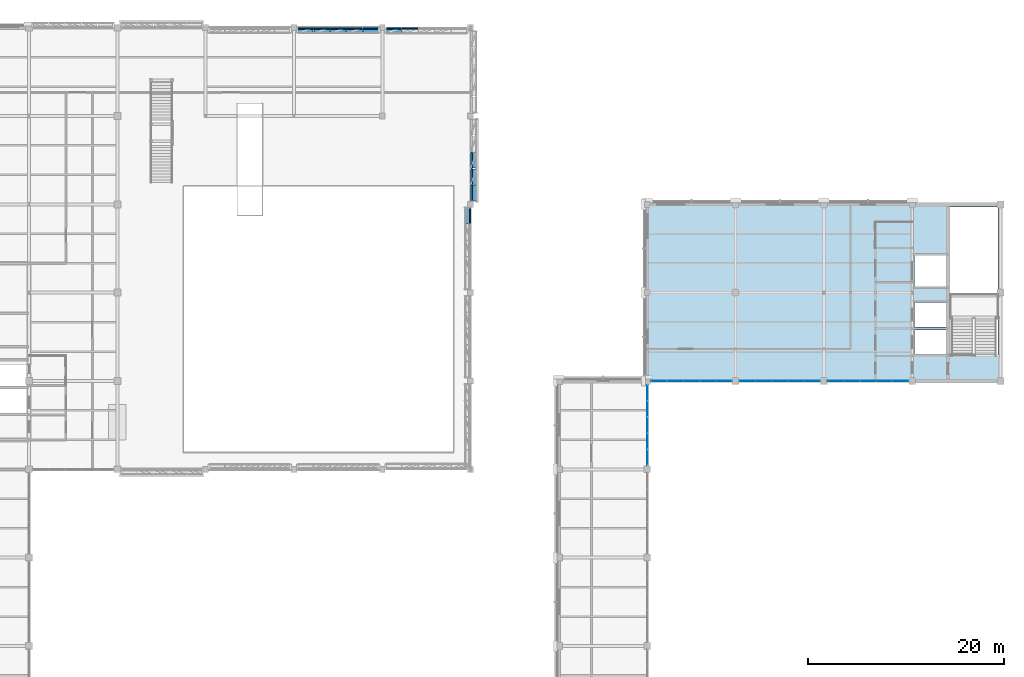
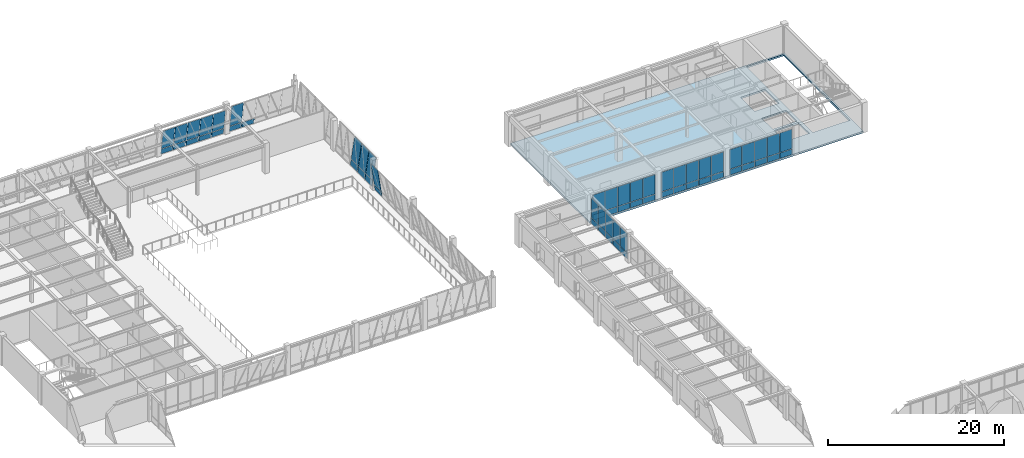
# One storey, part 85 of 108: 61 plates, 1 slab, 3 openings, 8 elements without a shape of their own.
"""IFC4 building model written with IfcOpenShell, lengths in metres."""

from ifc_helpers import new_model, si_unit, direction, frame, origin, origin_2d, place, context, subcontext, project, spatial, polyline, rectangle, outline, extrude, material, layer, layer_set, type_object, element, aggregate, save


model = new_model("IFC4")

# Units and contexts
model_context = context("Model", 3, precision=1e-05, world=origin(), true_north=direction((0.0, 1.0)))
body_context = subcontext(model_context, "Body", "Model", "MODEL_VIEW")
ifc_project = project(units=[si_unit("LENGTHUNIT", "METRE"), si_unit("AREAUNIT", "SQUARE_METRE"), si_unit("VOLUMEUNIT", "CUBIC_METRE"), si_unit("PLANEANGLEUNIT", "RADIAN"), si_unit("MASSUNIT", "GRAM", prefix="KILO")], contexts=[model_context])

# Site, building, storey
site_placement = place(None, origin())
site = spatial("IfcSite", under=ifc_project, at=site_placement, CompositionType="ELEMENT")
building_placement = place(site_placement, origin())
building = spatial("IfcBuilding", under=site, at=building_placement, Name="Lykobir Media Centre", CompositionType="ELEMENT")
storey_placement = place(building_placement, frame((0.0, 0.0, 15.0)))
storey = spatial("IfcBuildingStorey", under=building, at=storey_placement, Name="L03", CompositionType="ELEMENT", Elevation=15.0)

# Curtain wall, plates
ifc_material_1 = material(Name="Anodized Aluminium AW-6060", Category="aluminium")
curtain_wall_type_1 = type_object("IfcCurtainWallType", Name="CW-COURT-B", PredefinedType="NOTDEFINED", material=ifc_material_1)
curtain_wall_1_placement = place(storey_placement, origin())
curtain_wall_1 = element("IfcCurtainWall", 1, at=curtain_wall_1_placement, inside=storey, type_object=curtain_wall_type_1, Name="Curtain wall CW2-L03-0145", PredefinedType="NOTDEFINED")
ifc_material_2 = material(Name="Low-E Laminated Triple Glazing", Category="glass")
ifc_layer_1 = layer(ifc_material_2, 0.0380859375, Name="Low-E Laminated Triple Glazing")
ifc_layer_set_1 = layer_set([ifc_layer_1], Name="Low-E Laminated Triple Glazing")
plate_type_1 = type_object("IfcPlateType", Name="CWP-GLZ-38", PredefinedType="CURTAIN_PANEL", material=ifc_layer_set_1)
plate_1_placement = place(storey_placement, frame((99.0, 70.80224609375, 0.87744140625), z_axis=(0.0, 0.0, 1.0), x_axis=(0.0, -1.0, 0.0)))
plate_1 = element("IfcPlate", 2, at=plate_1_placement, type_object=plate_type_1, Name="CW2-L03-0145 panel 1.2", PredefinedType="CURTAIN_PANEL", context=body_context, shape_type="SweptSolid", body=[
    extrude(rectangle(XDim=1.575439453125, YDim=0.0380859375, at=origin_2d()), origin(), (0.0, 0.0, 1.0), 2.702392578125),
])
plate_2_placement = place(storey_placement, frame((99.0, 69.157958984375, 0.87744140625), z_axis=(0.0, 0.0, 1.0), x_axis=(0.0, -1.0, 0.0)))
plate_2 = element("IfcPlate", 3, at=plate_2_placement, type_object=plate_type_1, Name="CW2-L03-0145 panel 2.2", PredefinedType="CURTAIN_PANEL", context=body_context, shape_type="SweptSolid", body=[
    extrude(rectangle(XDim=1.60302734375, YDim=0.0380859375, at=origin_2d()), origin(), (0.0, 0.0, 1.0), 2.702392578125),
])
plate_3_placement = place(storey_placement, frame((99.0, 67.5, 0.87744140625), z_axis=(0.0, 0.0, 1.0), x_axis=(0.0, -1.0, 0.0)))
plate_3 = element("IfcPlate", 4, at=plate_3_placement, type_object=plate_type_1, Name="CW2-L03-0145 panel 3.2", PredefinedType="CURTAIN_PANEL", context=body_context, shape_type="SweptSolid", body=[
    extrude(rectangle(XDim=1.60302734375, YDim=0.0380859375, at=origin_2d()), origin(), (0.0, 0.0, 1.0), 2.702392578125),
])
plate_4_placement = place(storey_placement, frame((99.0, 65.842041015625, 0.87744140625), z_axis=(0.0, 0.0, 1.0), x_axis=(0.0, -1.0, 0.0)))
plate_4 = element("IfcPlate", 5, at=plate_4_placement, type_object=plate_type_1, Name="CW2-L03-0145 panel 4.2", PredefinedType="CURTAIN_PANEL", context=body_context, shape_type="SweptSolid", body=[
    extrude(rectangle(XDim=1.60302734375, YDim=0.0380859375, at=origin_2d()), origin(), (0.0, 0.0, 1.0), 2.702392578125),
])
plate_5_placement = place(storey_placement, frame((99.0, 64.19775390625, 0.87744140625), z_axis=(0.0, 0.0, 1.0), x_axis=(0.0, -1.0, 0.0)))
plate_5 = element("IfcPlate", 6, at=plate_5_placement, type_object=plate_type_1, Name="CW2-L03-0145 panel 5.2", PredefinedType="CURTAIN_PANEL", context=body_context, shape_type="SweptSolid", body=[
    extrude(rectangle(XDim=1.575439453125, YDim=0.0380859375, at=origin_2d()), origin(), (0.0, 0.0, 1.0), 2.702392578125),
])

curtain_wall_2_placement = place(storey_placement, origin())
curtain_wall_2 = element("IfcCurtainWall", 7, at=curtain_wall_2_placement, inside=storey, type_object=curtain_wall_type_1, Name="Curtain wall CW2-L03-0146", PredefinedType="NOTDEFINED")
plate_6_placement = place(storey_placement, frame((106.80224609375, 72.0, 0.87744140625), z_axis=(0.0, 0.0, 1.0), x_axis=(-1.0, 0.0, 0.0)))
plate_6 = element("IfcPlate", 8, at=plate_6_placement, type_object=plate_type_1, Name="CW2-L03-0146 panel 1.2", PredefinedType="CURTAIN_PANEL", context=body_context, shape_type="SweptSolid", body=[
    extrude(rectangle(XDim=1.575439453125, YDim=0.0380859375, at=origin_2d()), origin(), (0.0, 0.0, 1.0), 2.702392578125),
])
plate_7_placement = place(storey_placement, frame((105.157958984375, 72.0, 0.87744140625), z_axis=(0.0, 0.0, 1.0), x_axis=(-1.0, 0.0, 0.0)))
plate_7 = element("IfcPlate", 9, at=plate_7_placement, type_object=plate_type_1, Name="CW2-L03-0146 panel 2.2", PredefinedType="CURTAIN_PANEL", context=body_context, shape_type="SweptSolid", body=[
    extrude(rectangle(XDim=1.60302734375, YDim=0.0380859375, at=origin_2d()), origin(), (0.0, 0.0, 1.0), 2.702392578125),
])
plate_8_placement = place(storey_placement, frame((103.5, 72.0, 0.87744140625), z_axis=(0.0, 0.0, 1.0), x_axis=(-1.0, 0.0, 0.0)))
plate_8 = element("IfcPlate", 10, at=plate_8_placement, type_object=plate_type_1, Name="CW2-L03-0146 panel 3.2", PredefinedType="CURTAIN_PANEL", context=body_context, shape_type="SweptSolid", body=[
    extrude(rectangle(XDim=1.60302734375, YDim=0.0380859375, at=origin_2d()), origin(), (0.0, 0.0, 1.0), 2.702392578125),
])
plate_9_placement = place(storey_placement, frame((101.842041015625, 72.0, 0.87744140625), z_axis=(0.0, 0.0, 1.0), x_axis=(-1.0, 0.0, 0.0)))
plate_9 = element("IfcPlate", 11, at=plate_9_placement, type_object=plate_type_1, Name="CW2-L03-0146 panel 4.2", PredefinedType="CURTAIN_PANEL", context=body_context, shape_type="SweptSolid", body=[
    extrude(rectangle(XDim=1.60302734375, YDim=0.0380859375, at=origin_2d()), origin(), (0.0, 0.0, 1.0), 2.702392578125),
])
plate_10_placement = place(storey_placement, frame((100.19775390625, 72.0, 0.87744140625), z_axis=(0.0, 0.0, 1.0), x_axis=(-1.0, 0.0, 0.0)))
plate_10 = element("IfcPlate", 12, at=plate_10_placement, type_object=plate_type_1, Name="CW2-L03-0146 panel 5.2", PredefinedType="CURTAIN_PANEL", context=body_context, shape_type="SweptSolid", body=[
    extrude(rectangle(XDim=1.575439453125, YDim=0.0380859375, at=origin_2d()), origin(), (0.0, 0.0, 1.0), 2.702392578125),
])

curtain_wall_3_placement = place(storey_placement, origin())
curtain_wall_3 = element("IfcCurtainWall", 13, at=curtain_wall_3_placement, inside=storey, type_object=curtain_wall_type_1, Name="Curtain wall CW2-L03-0147", PredefinedType="NOTDEFINED")
plate_11_placement = place(storey_placement, frame((115.80224609375, 72.0, 0.87744140625), z_axis=(0.0, 0.0, 1.0), x_axis=(-1.0, 0.0, 0.0)))
plate_11 = element("IfcPlate", 14, at=plate_11_placement, type_object=plate_type_1, Name="CW2-L03-0147 panel 1.2", PredefinedType="CURTAIN_PANEL", context=body_context, shape_type="SweptSolid", body=[
    extrude(rectangle(XDim=1.575439453125, YDim=0.0380859375, at=origin_2d()), origin(), (0.0, 0.0, 1.0), 2.702392578125),
])
plate_12_placement = place(storey_placement, frame((114.157958984375, 72.0, 0.87744140625), z_axis=(0.0, 0.0, 1.0), x_axis=(-1.0, 0.0, 0.0)))
plate_12 = element("IfcPlate", 15, at=plate_12_placement, type_object=plate_type_1, Name="CW2-L03-0147 panel 2.2", PredefinedType="CURTAIN_PANEL", context=body_context, shape_type="SweptSolid", body=[
    extrude(rectangle(XDim=1.60302734375, YDim=0.0380859375, at=origin_2d()), origin(), (0.0, 0.0, 1.0), 2.702392578125),
])
plate_13_placement = place(storey_placement, frame((112.5, 72.0, 0.87744140625), z_axis=(0.0, 0.0, 1.0), x_axis=(-1.0, 0.0, 0.0)))
plate_13 = element("IfcPlate", 16, at=plate_13_placement, type_object=plate_type_1, Name="CW2-L03-0147 panel 3.2", PredefinedType="CURTAIN_PANEL", context=body_context, shape_type="SweptSolid", body=[
    extrude(rectangle(XDim=1.60302734375, YDim=0.0380859375, at=origin_2d()), origin(), (0.0, 0.0, 1.0), 2.702392578125),
])
plate_14_placement = place(storey_placement, frame((110.842041015625, 72.0, 0.87744140625), z_axis=(0.0, 0.0, 1.0), x_axis=(-1.0, 0.0, 0.0)))
plate_14 = element("IfcPlate", 17, at=plate_14_placement, type_object=plate_type_1, Name="CW2-L03-0147 panel 4.2", PredefinedType="CURTAIN_PANEL", context=body_context, shape_type="SweptSolid", body=[
    extrude(rectangle(XDim=1.60302734375, YDim=0.0380859375, at=origin_2d()), origin(), (0.0, 0.0, 1.0), 2.702392578125),
])
plate_15_placement = place(storey_placement, frame((109.19775390625, 72.0, 0.87744140625), z_axis=(0.0, 0.0, 1.0), x_axis=(-1.0, 0.0, 0.0)))
plate_15 = element("IfcPlate", 18, at=plate_15_placement, type_object=plate_type_1, Name="CW2-L03-0147 panel 5.2", PredefinedType="CURTAIN_PANEL", context=body_context, shape_type="SweptSolid", body=[
    extrude(rectangle(XDim=1.575439453125, YDim=0.0380859375, at=origin_2d()), origin(), (0.0, 0.0, 1.0), 2.702392578125),
])

curtain_wall_4_placement = place(storey_placement, origin())
curtain_wall_4 = element("IfcCurtainWall", 19, at=curtain_wall_4_placement, inside=storey, type_object=curtain_wall_type_1, Name="Curtain wall CW2-L03-0148", PredefinedType="NOTDEFINED")
plate_16_placement = place(storey_placement, frame((124.80224609375, 72.0, 0.87744140625), z_axis=(0.0, 0.0, 1.0), x_axis=(-1.0, 0.0, 0.0)))
plate_16 = element("IfcPlate", 20, at=plate_16_placement, type_object=plate_type_1, Name="CW2-L03-0148 panel 1.2", PredefinedType="CURTAIN_PANEL", context=body_context, shape_type="SweptSolid", body=[
    extrude(rectangle(XDim=1.575439453125, YDim=0.0380859375, at=origin_2d()), origin(), (0.0, 0.0, 1.0), 2.702392578125),
])
plate_17_placement = place(storey_placement, frame((123.157958984375, 72.0, 0.87744140625), z_axis=(0.0, 0.0, 1.0), x_axis=(-1.0, 0.0, 0.0)))
plate_17 = element("IfcPlate", 21, at=plate_17_placement, type_object=plate_type_1, Name="CW2-L03-0148 panel 2.2", PredefinedType="CURTAIN_PANEL", context=body_context, shape_type="SweptSolid", body=[
    extrude(rectangle(XDim=1.60302734375, YDim=0.0380859375, at=origin_2d()), origin(), (0.0, 0.0, 1.0), 2.702392578125),
])
plate_18_placement = place(storey_placement, frame((121.5, 72.0, 0.87744140625), z_axis=(0.0, 0.0, 1.0), x_axis=(-1.0, 0.0, 0.0)))
plate_18 = element("IfcPlate", 22, at=plate_18_placement, type_object=plate_type_1, Name="CW2-L03-0148 panel 3.2", PredefinedType="CURTAIN_PANEL", context=body_context, shape_type="SweptSolid", body=[
    extrude(rectangle(XDim=1.60302734375, YDim=0.0380859375, at=origin_2d()), origin(), (0.0, 0.0, 1.0), 2.702392578125),
])
plate_19_placement = place(storey_placement, frame((119.842041015625, 72.0, 0.87744140625), z_axis=(0.0, 0.0, 1.0), x_axis=(-1.0, 0.0, 0.0)))
plate_19 = element("IfcPlate", 23, at=plate_19_placement, type_object=plate_type_1, Name="CW2-L03-0148 panel 4.2", PredefinedType="CURTAIN_PANEL", context=body_context, shape_type="SweptSolid", body=[
    extrude(rectangle(XDim=1.60302734375, YDim=0.0380859375, at=origin_2d()), origin(), (0.0, 0.0, 1.0), 2.702392578125),
])
plate_20_placement = place(storey_placement, frame((118.19775390625, 72.0, 0.87744140625), z_axis=(0.0, 0.0, 1.0), x_axis=(-1.0, 0.0, 0.0)))
plate_20 = element("IfcPlate", 24, at=plate_20_placement, type_object=plate_type_1, Name="CW2-L03-0148 panel 5.2", PredefinedType="CURTAIN_PANEL", context=body_context, shape_type="SweptSolid", body=[
    extrude(rectangle(XDim=1.575439453125, YDim=0.0380859375, at=origin_2d()), origin(), (0.0, 0.0, 1.0), 2.702392578125),
])

# Curtain wall, plate
curtain_wall_type_2 = type_object("IfcCurtainWallType", Name="CW-V6-CR3", PredefinedType="NOTDEFINED", material=ifc_material_1)
curtain_wall_5_placement = place(storey_placement, origin())
curtain_wall_5 = element("IfcCurtainWall", 25, at=curtain_wall_5_placement, inside=storey, type_object=curtain_wall_type_2, Name="Curtain wall CW2-L03-0127", PredefinedType="NOTDEFINED")
ifc_layer_2 = layer(ifc_material_2, 0.0439453125, Name="Low-E Laminated Triple Glazing")
ifc_layer_set_2 = layer_set([ifc_layer_2], Name="Low-E Laminated Triple Glazing")
plate_type_2 = type_object("IfcPlateType", Name="CWP-GLZ-44", PredefinedType="CURTAIN_PANEL", material=ifc_layer_set_2)
plate_21_placement = place(storey_placement, frame((80.873291015625, 88.837158203125, 0.87841796875), z_axis=(-0.142628933706, 0.0, 0.989776230908), x_axis=(0.0, -1.0, 0.0)))
plate_21 = element("IfcPlate", 26, at=plate_21_placement, type_object=plate_type_2, Name="CW2-L03-0127 panel 1.2", PredefinedType="CURTAIN_PANEL", context=body_context, shape_type="SweptSolid", body=[
    extrude(rectangle(XDim=1.5654296875, YDim=0.0439453125, at=origin_2d()), origin(), (0.0, 0.0, 1.0), 3.018310546875),
])

# Curtain wall, plates
curtain_wall_6_placement = place(storey_placement, origin())
curtain_wall_6 = element("IfcCurtainWall", 27, at=curtain_wall_6_placement, inside=storey, type_object=curtain_wall_type_2, Name="Curtain wall CW2-L03-0128", PredefinedType="NOTDEFINED")
plate_22_placement = place(storey_placement, frame((81.126708984375, 91.162841796875, 0.87841796875), z_axis=(0.142628933706, 0.0, 0.989776230908), x_axis=(0.0, 1.0, 0.0)))
plate_22 = element("IfcPlate", 28, at=plate_22_placement, type_object=plate_type_2, Name="CW2-L03-0128 panel 1.2", PredefinedType="CURTAIN_PANEL", context=body_context, shape_type="SweptSolid", body=[
    extrude(rectangle(XDim=1.5654296875, YDim=0.0439453125, at=origin_2d()), origin(), (0.0, 0.0, 1.0), 3.018310546875),
])
plate_23_placement = place(storey_placement, frame((81.126708984375, 92.822021484375, 0.87841796875), z_axis=(0.142628933706, 0.0, 0.989776230908), x_axis=(0.0, 1.0, 0.0)))
plate_23 = element("IfcPlate", 29, at=plate_23_placement, type_object=plate_type_2, Name="CW2-L03-0128 panel 2.2", PredefinedType="CURTAIN_PANEL", context=body_context, shape_type="SweptSolid", body=[
    extrude(rectangle(XDim=1.60302734375, YDim=0.0439453125, at=origin_2d()), origin(), (0.0, 0.0, 1.0), 3.018310546875),
])
plate_24_placement = place(storey_placement, frame((81.126708984375, 94.5, 0.87841796875), z_axis=(0.142628933706, 0.0, 0.989776230908), x_axis=(0.0, 1.0, 0.0)))
plate_24 = element("IfcPlate", 30, at=plate_24_placement, type_object=plate_type_2, Name="CW2-L03-0128 panel 3.2", PredefinedType="CURTAIN_PANEL", context=body_context, shape_type="SweptSolid", body=[
    extrude(rectangle(XDim=1.60302734375, YDim=0.0439453125, at=origin_2d()), origin(), (0.0, 0.0, 1.0), 3.018310546875),
])

curtain_wall_7_placement = place(storey_placement, origin())
curtain_wall_7 = element("IfcCurtainWall", 31, at=curtain_wall_7_placement, inside=storey, type_object=curtain_wall_type_2, Name="Curtain wall CW2-L03-0133", PredefinedType="NOTDEFINED")
plate_25_placement = place(storey_placement, frame((64.162841796875, 107.873291015625, 0.87841796875), z_axis=(0.0, -0.142628933706, 0.989776230908), x_axis=(1.0, 0.0, 0.0)))
plate_25 = element("IfcPlate", 32, at=plate_25_placement, type_object=plate_type_2, Name="CW2-L03-0133 panel 1.2", PredefinedType="CURTAIN_PANEL", context=body_context, shape_type="SweptSolid", body=[
    extrude(rectangle(XDim=1.5654296875, YDim=0.0439453125, at=origin_2d()), origin(), (0.0, 0.0, 1.0), 2.7099609375),
])
plate_26_placement = place(storey_placement, frame((65.822021484375, 107.873291015625, 0.87841796875), z_axis=(0.0, -0.142628933706, 0.989776230908), x_axis=(1.0, 0.0, 0.0)))
plate_26 = element("IfcPlate", 33, at=plate_26_placement, type_object=plate_type_2, Name="CW2-L03-0133 panel 2.2", PredefinedType="CURTAIN_PANEL", context=body_context, shape_type="SweptSolid", body=[
    extrude(rectangle(XDim=1.60302734375, YDim=0.0439453125, at=origin_2d()), origin(), (0.0, 0.0, 1.0), 2.7099609375),
])
plate_27_placement = place(storey_placement, frame((67.5, 107.873291015625, 0.87841796875), z_axis=(0.0, -0.142628933706, 0.989776230908), x_axis=(1.0, 0.0, 0.0)))
plate_27 = element("IfcPlate", 34, at=plate_27_placement, type_object=plate_type_2, Name="CW2-L03-0133 panel 3.2", PredefinedType="CURTAIN_PANEL", context=body_context, shape_type="SweptSolid", body=[
    extrude(rectangle(XDim=1.60302734375, YDim=0.0439453125, at=origin_2d()), origin(), (0.0, 0.0, 1.0), 2.7099609375),
])
plate_28_placement = place(storey_placement, frame((69.177978515625, 107.873291015625, 0.87841796875), z_axis=(0.0, -0.142628933706, 0.989776230908), x_axis=(1.0, 0.0, 0.0)))
plate_28 = element("IfcPlate", 35, at=plate_28_placement, type_object=plate_type_2, Name="CW2-L03-0133 panel 4.2", PredefinedType="CURTAIN_PANEL", context=body_context, shape_type="SweptSolid", body=[
    extrude(rectangle(XDim=1.60302734375, YDim=0.0439453125, at=origin_2d()), origin(), (0.0, 0.0, 1.0), 2.7099609375),
])
plate_29_placement = place(storey_placement, frame((70.837158203125, 107.873291015625, 0.87841796875), z_axis=(0.0, -0.142628933706, 0.989776230908), x_axis=(1.0, 0.0, 0.0)))
plate_29 = element("IfcPlate", 36, at=plate_29_placement, type_object=plate_type_2, Name="CW2-L03-0133 panel 5.2", PredefinedType="CURTAIN_PANEL", context=body_context, shape_type="SweptSolid", body=[
    extrude(rectangle(XDim=1.5654296875, YDim=0.0439453125, at=origin_2d()), origin(), (0.0, 0.0, 1.0), 2.7099609375),
])

# Curtain wall, plate
curtain_wall_8_placement = place(storey_placement, origin())
curtain_wall_8 = element("IfcCurtainWall", 37, at=curtain_wall_8_placement, inside=storey, type_object=curtain_wall_type_2, Name="Curtain wall CW2-L03-0134", PredefinedType="NOTDEFINED")
plate_30_placement = place(storey_placement, frame((73.162841796875, 107.873291015625, 0.87841796875), z_axis=(0.0, -0.142628933706, 0.989776230908), x_axis=(1.0, 0.0, 0.0)))
plate_30 = element("IfcPlate", 38, at=plate_30_placement, type_object=plate_type_2, Name="CW2-L03-0134 panel 1.2", PredefinedType="CURTAIN_PANEL", context=body_context, shape_type="SweptSolid", body=[
    extrude(rectangle(XDim=1.5654296875, YDim=0.0439453125, at=origin_2d()), origin(), (0.0, 0.0, 1.0), 3.018310546875),
])

# Plate
ifc_material_3 = material(Name="Pre-Weathered Titanium-Zinc", Category="metal")
ifc_layer_3 = layer(ifc_material_3, 0.052001953125, Name="Pre-Weathered Titanium-Zinc")
ifc_layer_set_3 = layer_set([ifc_layer_3], Name="Pre-Weathered Titanium-Zinc")
plate_type_3 = type_object("IfcPlateType", Name="CWP-SPN-52", PredefinedType="CURTAIN_PANEL", material=ifc_layer_set_3)
plate_31_placement = place(storey_placement, frame((80.9892578125, 88.837158203125, 0.07421875), z_axis=(-0.142628933706, 0.0, 0.989776230908), x_axis=(0.0, -1.0, 0.0)))
plate_31 = element("IfcPlate", 39, at=plate_31_placement, type_object=plate_type_3, Name="CW2-L03-0127 panel 1.1", PredefinedType="CURTAIN_PANEL", context=body_context, shape_type="SweptSolid", body=[
    extrude(rectangle(XDim=1.5654296875, YDim=0.052001953125, at=origin_2d()), origin(), (0.0, 0.0, 1.0), 0.737548828125),
])

aggregate(curtain_wall_5, [plate_31, plate_21])

plate_32_placement = place(storey_placement, frame((64.162841796875, 107.9892578125, 0.07421875), z_axis=(0.0, -0.142628933706, 0.989776230908), x_axis=(1.0, 0.0, 0.0)))
plate_32 = element("IfcPlate", 40, at=plate_32_placement, type_object=plate_type_3, Name="CW2-L03-0133 panel 1.1", PredefinedType="CURTAIN_PANEL", context=body_context, shape_type="SweptSolid", body=[
    extrude(rectangle(XDim=1.5654296875, YDim=0.052001953125, at=origin_2d()), origin(), (0.0, 0.0, 1.0), 0.737548828125),
])

plate_33_placement = place(storey_placement, frame((65.822021484375, 107.9892578125, 0.07421875), z_axis=(0.0, -0.142628933706, 0.989776230908), x_axis=(1.0, 0.0, 0.0)))
plate_33 = element("IfcPlate", 41, at=plate_33_placement, type_object=plate_type_3, Name="CW2-L03-0133 panel 2.1", PredefinedType="CURTAIN_PANEL", context=body_context, shape_type="SweptSolid", body=[
    extrude(rectangle(XDim=1.60302734375, YDim=0.052001953125, at=origin_2d()), origin(), (0.0, 0.0, 1.0), 0.737548828125),
])

plate_34_placement = place(storey_placement, frame((67.5, 107.9892578125, 0.07421875), z_axis=(0.0, -0.142628933706, 0.989776230908), x_axis=(1.0, 0.0, 0.0)))
plate_34 = element("IfcPlate", 42, at=plate_34_placement, type_object=plate_type_3, Name="CW2-L03-0133 panel 3.1", PredefinedType="CURTAIN_PANEL", context=body_context, shape_type="SweptSolid", body=[
    extrude(rectangle(XDim=1.60302734375, YDim=0.052001953125, at=origin_2d()), origin(), (0.0, 0.0, 1.0), 0.737548828125),
])

plate_35_placement = place(storey_placement, frame((69.177978515625, 107.9892578125, 0.07421875), z_axis=(0.0, -0.142628933706, 0.989776230908), x_axis=(1.0, 0.0, 0.0)))
plate_35 = element("IfcPlate", 43, at=plate_35_placement, type_object=plate_type_3, Name="CW2-L03-0133 panel 4.1", PredefinedType="CURTAIN_PANEL", context=body_context, shape_type="SweptSolid", body=[
    extrude(rectangle(XDim=1.60302734375, YDim=0.052001953125, at=origin_2d()), origin(), (0.0, 0.0, 1.0), 0.737548828125),
])

plate_36_placement = place(storey_placement, frame((70.837158203125, 107.9892578125, 0.07421875), z_axis=(0.0, -0.142628933706, 0.989776230908), x_axis=(1.0, 0.0, 0.0)))
plate_36 = element("IfcPlate", 44, at=plate_36_placement, type_object=plate_type_3, Name="CW2-L03-0133 panel 5.1", PredefinedType="CURTAIN_PANEL", context=body_context, shape_type="SweptSolid", body=[
    extrude(rectangle(XDim=1.5654296875, YDim=0.052001953125, at=origin_2d()), origin(), (0.0, 0.0, 1.0), 0.737548828125),
])

aggregate(curtain_wall_7, [plate_32, plate_25, plate_33, plate_26, plate_34, plate_27, plate_35, plate_28, plate_36, plate_29])

plate_37_placement = place(storey_placement, frame((73.162841796875, 107.9892578125, 0.07421875), z_axis=(0.0, -0.142628933706, 0.989776230908), x_axis=(1.0, 0.0, 0.0)))
plate_37 = element("IfcPlate", 45, at=plate_37_placement, type_object=plate_type_3, Name="CW2-L03-0134 panel 1.1", PredefinedType="CURTAIN_PANEL", context=body_context, shape_type="SweptSolid", body=[
    extrude(rectangle(XDim=1.5654296875, YDim=0.052001953125, at=origin_2d()), origin(), (0.0, 0.0, 1.0), 0.737548828125),
])

plate_38_placement = place(storey_placement, frame((74.822021484375, 107.9892578125, 0.07421875), z_axis=(0.0, -0.142628933706, 0.989776230908), x_axis=(1.0, 0.0, 0.0)))
plate_38 = element("IfcPlate", 46, at=plate_38_placement, type_object=plate_type_3, Name="CW2-L03-0134 panel 2.1", PredefinedType="CURTAIN_PANEL", context=body_context, shape_type="SweptSolid", body=[
    extrude(rectangle(XDim=1.60302734375, YDim=0.052001953125, at=origin_2d()), origin(), (0.0, 0.0, 1.0), 0.737548828125),
])

aggregate(curtain_wall_8, [plate_37, plate_30, plate_38])

plate_39_placement = place(storey_placement, frame((99.0, 70.80224609375, 0.054931640625), z_axis=(0.0, 0.0, 1.0), x_axis=(0.0, -1.0, 0.0)))
plate_39 = element("IfcPlate", 47, at=plate_39_placement, type_object=plate_type_3, Name="CW2-L03-0145 panel 1.1", PredefinedType="CURTAIN_PANEL", context=body_context, shape_type="SweptSolid", body=[
    extrude(rectangle(XDim=1.575439453125, YDim=0.052001953125, at=origin_2d()), origin(), (0.0, 0.0, 1.0), 0.767578125),
])

plate_40_placement = place(storey_placement, frame((99.0, 69.157958984375, 0.054931640625), z_axis=(0.0, 0.0, 1.0), x_axis=(0.0, -1.0, 0.0)))
plate_40 = element("IfcPlate", 48, at=plate_40_placement, type_object=plate_type_3, Name="CW2-L03-0145 panel 2.1", PredefinedType="CURTAIN_PANEL", context=body_context, shape_type="SweptSolid", body=[
    extrude(rectangle(XDim=1.60302734375, YDim=0.052001953125, at=origin_2d()), origin(), (0.0, 0.0, 1.0), 0.767578125),
])

plate_41_placement = place(storey_placement, frame((99.0, 67.5, 0.054931640625), z_axis=(0.0, 0.0, 1.0), x_axis=(0.0, -1.0, 0.0)))
plate_41 = element("IfcPlate", 49, at=plate_41_placement, type_object=plate_type_3, Name="CW2-L03-0145 panel 3.1", PredefinedType="CURTAIN_PANEL", context=body_context, shape_type="SweptSolid", body=[
    extrude(rectangle(XDim=1.60302734375, YDim=0.052001953125, at=origin_2d()), origin(), (0.0, 0.0, 1.0), 0.767578125),
])

plate_42_placement = place(storey_placement, frame((99.0, 65.842041015625, 0.054931640625), z_axis=(0.0, 0.0, 1.0), x_axis=(0.0, -1.0, 0.0)))
plate_42 = element("IfcPlate", 50, at=plate_42_placement, type_object=plate_type_3, Name="CW2-L03-0145 panel 4.1", PredefinedType="CURTAIN_PANEL", context=body_context, shape_type="SweptSolid", body=[
    extrude(rectangle(XDim=1.60302734375, YDim=0.052001953125, at=origin_2d()), origin(), (0.0, 0.0, 1.0), 0.767578125),
])

plate_43_placement = place(storey_placement, frame((99.0, 64.19775390625, 0.054931640625), z_axis=(0.0, 0.0, 1.0), x_axis=(0.0, -1.0, 0.0)))
plate_43 = element("IfcPlate", 51, at=plate_43_placement, type_object=plate_type_3, Name="CW2-L03-0145 panel 5.1", PredefinedType="CURTAIN_PANEL", context=body_context, shape_type="SweptSolid", body=[
    extrude(rectangle(XDim=1.575439453125, YDim=0.052001953125, at=origin_2d()), origin(), (0.0, 0.0, 1.0), 0.767578125),
])

aggregate(curtain_wall_1, [plate_39, plate_1, plate_40, plate_2, plate_41, plate_3, plate_42, plate_4, plate_43, plate_5])

plate_44_placement = place(storey_placement, frame((106.80224609375, 72.0, 0.054931640625), z_axis=(0.0, 0.0, 1.0), x_axis=(-1.0, 0.0, 0.0)))
plate_44 = element("IfcPlate", 52, at=plate_44_placement, type_object=plate_type_3, Name="CW2-L03-0146 panel 1.1", PredefinedType="CURTAIN_PANEL", context=body_context, shape_type="SweptSolid", body=[
    extrude(rectangle(XDim=1.575439453125, YDim=0.052001953125, at=origin_2d()), origin(), (0.0, 0.0, 1.0), 0.767578125),
])

plate_45_placement = place(storey_placement, frame((105.157958984375, 72.0, 0.054931640625), z_axis=(0.0, 0.0, 1.0), x_axis=(-1.0, 0.0, 0.0)))
plate_45 = element("IfcPlate", 53, at=plate_45_placement, type_object=plate_type_3, Name="CW2-L03-0146 panel 2.1", PredefinedType="CURTAIN_PANEL", context=body_context, shape_type="SweptSolid", body=[
    extrude(rectangle(XDim=1.60302734375, YDim=0.052001953125, at=origin_2d()), origin(), (0.0, 0.0, 1.0), 0.767578125),
])

plate_46_placement = place(storey_placement, frame((103.5, 72.0, 0.054931640625), z_axis=(0.0, 0.0, 1.0), x_axis=(-1.0, 0.0, 0.0)))
plate_46 = element("IfcPlate", 54, at=plate_46_placement, type_object=plate_type_3, Name="CW2-L03-0146 panel 3.1", PredefinedType="CURTAIN_PANEL", context=body_context, shape_type="SweptSolid", body=[
    extrude(rectangle(XDim=1.60302734375, YDim=0.052001953125, at=origin_2d()), origin(), (0.0, 0.0, 1.0), 0.767578125),
])

plate_47_placement = place(storey_placement, frame((101.842041015625, 72.0, 0.054931640625), z_axis=(0.0, 0.0, 1.0), x_axis=(-1.0, 0.0, 0.0)))
plate_47 = element("IfcPlate", 55, at=plate_47_placement, type_object=plate_type_3, Name="CW2-L03-0146 panel 4.1", PredefinedType="CURTAIN_PANEL", context=body_context, shape_type="SweptSolid", body=[
    extrude(rectangle(XDim=1.60302734375, YDim=0.052001953125, at=origin_2d()), origin(), (0.0, 0.0, 1.0), 0.767578125),
])

plate_48_placement = place(storey_placement, frame((100.19775390625, 72.0, 0.054931640625), z_axis=(0.0, 0.0, 1.0), x_axis=(-1.0, 0.0, 0.0)))
plate_48 = element("IfcPlate", 56, at=plate_48_placement, type_object=plate_type_3, Name="CW2-L03-0146 panel 5.1", PredefinedType="CURTAIN_PANEL", context=body_context, shape_type="SweptSolid", body=[
    extrude(rectangle(XDim=1.575439453125, YDim=0.052001953125, at=origin_2d()), origin(), (0.0, 0.0, 1.0), 0.767578125),
])

aggregate(curtain_wall_2, [plate_44, plate_6, plate_45, plate_7, plate_46, plate_8, plate_47, plate_9, plate_48, plate_10])

plate_49_placement = place(storey_placement, frame((115.80224609375, 72.0, 0.054931640625), z_axis=(0.0, 0.0, 1.0), x_axis=(-1.0, 0.0, 0.0)))
plate_49 = element("IfcPlate", 57, at=plate_49_placement, type_object=plate_type_3, Name="CW2-L03-0147 panel 1.1", PredefinedType="CURTAIN_PANEL", context=body_context, shape_type="SweptSolid", body=[
    extrude(rectangle(XDim=1.575439453125, YDim=0.052001953125, at=origin_2d()), origin(), (0.0, 0.0, 1.0), 0.767578125),
])

plate_50_placement = place(storey_placement, frame((114.157958984375, 72.0, 0.054931640625), z_axis=(0.0, 0.0, 1.0), x_axis=(-1.0, 0.0, 0.0)))
plate_50 = element("IfcPlate", 58, at=plate_50_placement, type_object=plate_type_3, Name="CW2-L03-0147 panel 2.1", PredefinedType="CURTAIN_PANEL", context=body_context, shape_type="SweptSolid", body=[
    extrude(rectangle(XDim=1.60302734375, YDim=0.052001953125, at=origin_2d()), origin(), (0.0, 0.0, 1.0), 0.767578125),
])

plate_51_placement = place(storey_placement, frame((112.5, 72.0, 0.054931640625), z_axis=(0.0, 0.0, 1.0), x_axis=(-1.0, 0.0, 0.0)))
plate_51 = element("IfcPlate", 59, at=plate_51_placement, type_object=plate_type_3, Name="CW2-L03-0147 panel 3.1", PredefinedType="CURTAIN_PANEL", context=body_context, shape_type="SweptSolid", body=[
    extrude(rectangle(XDim=1.60302734375, YDim=0.052001953125, at=origin_2d()), origin(), (0.0, 0.0, 1.0), 0.767578125),
])

plate_52_placement = place(storey_placement, frame((110.842041015625, 72.0, 0.054931640625), z_axis=(0.0, 0.0, 1.0), x_axis=(-1.0, 0.0, 0.0)))
plate_52 = element("IfcPlate", 60, at=plate_52_placement, type_object=plate_type_3, Name="CW2-L03-0147 panel 4.1", PredefinedType="CURTAIN_PANEL", context=body_context, shape_type="SweptSolid", body=[
    extrude(rectangle(XDim=1.60302734375, YDim=0.052001953125, at=origin_2d()), origin(), (0.0, 0.0, 1.0), 0.767578125),
])

plate_53_placement = place(storey_placement, frame((109.19775390625, 72.0, 0.054931640625), z_axis=(0.0, 0.0, 1.0), x_axis=(-1.0, 0.0, 0.0)))
plate_53 = element("IfcPlate", 61, at=plate_53_placement, type_object=plate_type_3, Name="CW2-L03-0147 panel 5.1", PredefinedType="CURTAIN_PANEL", context=body_context, shape_type="SweptSolid", body=[
    extrude(rectangle(XDim=1.575439453125, YDim=0.052001953125, at=origin_2d()), origin(), (0.0, 0.0, 1.0), 0.767578125),
])

aggregate(curtain_wall_3, [plate_49, plate_11, plate_50, plate_12, plate_51, plate_13, plate_52, plate_14, plate_53, plate_15])

plate_54_placement = place(storey_placement, frame((124.80224609375, 72.0, 0.054931640625), z_axis=(0.0, 0.0, 1.0), x_axis=(-1.0, 0.0, 0.0)))
plate_54 = element("IfcPlate", 62, at=plate_54_placement, type_object=plate_type_3, Name="CW2-L03-0148 panel 1.1", PredefinedType="CURTAIN_PANEL", context=body_context, shape_type="SweptSolid", body=[
    extrude(rectangle(XDim=1.575439453125, YDim=0.052001953125, at=origin_2d()), origin(), (0.0, 0.0, 1.0), 0.767578125),
])

plate_55_placement = place(storey_placement, frame((123.157958984375, 72.0, 0.054931640625), z_axis=(0.0, 0.0, 1.0), x_axis=(-1.0, 0.0, 0.0)))
plate_55 = element("IfcPlate", 63, at=plate_55_placement, type_object=plate_type_3, Name="CW2-L03-0148 panel 2.1", PredefinedType="CURTAIN_PANEL", context=body_context, shape_type="SweptSolid", body=[
    extrude(rectangle(XDim=1.60302734375, YDim=0.052001953125, at=origin_2d()), origin(), (0.0, 0.0, 1.0), 0.767578125),
])

plate_56_placement = place(storey_placement, frame((121.5, 72.0, 0.054931640625), z_axis=(0.0, 0.0, 1.0), x_axis=(-1.0, 0.0, 0.0)))
plate_56 = element("IfcPlate", 64, at=plate_56_placement, type_object=plate_type_3, Name="CW2-L03-0148 panel 3.1", PredefinedType="CURTAIN_PANEL", context=body_context, shape_type="SweptSolid", body=[
    extrude(rectangle(XDim=1.60302734375, YDim=0.052001953125, at=origin_2d()), origin(), (0.0, 0.0, 1.0), 0.767578125),
])

plate_57_placement = place(storey_placement, frame((119.842041015625, 72.0, 0.054931640625), z_axis=(0.0, 0.0, 1.0), x_axis=(-1.0, 0.0, 0.0)))
plate_57 = element("IfcPlate", 65, at=plate_57_placement, type_object=plate_type_3, Name="CW2-L03-0148 panel 4.1", PredefinedType="CURTAIN_PANEL", context=body_context, shape_type="SweptSolid", body=[
    extrude(rectangle(XDim=1.60302734375, YDim=0.052001953125, at=origin_2d()), origin(), (0.0, 0.0, 1.0), 0.767578125),
])

plate_58_placement = place(storey_placement, frame((118.19775390625, 72.0, 0.054931640625), z_axis=(0.0, 0.0, 1.0), x_axis=(-1.0, 0.0, 0.0)))
plate_58 = element("IfcPlate", 66, at=plate_58_placement, type_object=plate_type_3, Name="CW2-L03-0148 panel 5.1", PredefinedType="CURTAIN_PANEL", context=body_context, shape_type="SweptSolid", body=[
    extrude(rectangle(XDim=1.575439453125, YDim=0.052001953125, at=origin_2d()), origin(), (0.0, 0.0, 1.0), 0.767578125),
])

aggregate(curtain_wall_4, [plate_54, plate_16, plate_55, plate_17, plate_56, plate_18, plate_57, plate_19, plate_58, plate_20])

ifc_material_4 = material(Name="Glazed Turquoise Terracotta", Category="masonry")
ifc_layer_4 = layer(ifc_material_4, 0.06005859375, Name="Glazed Turquoise Terracotta")
ifc_layer_set_4 = layer_set([ifc_layer_4], Name="Glazed Turquoise Terracotta")
plate_type_4 = type_object("IfcPlateType", Name="CWP-SPN-60", PredefinedType="CURTAIN_PANEL", material=ifc_layer_set_4)
plate_59_placement = place(storey_placement, frame((81.0107421875, 91.162841796875, 0.07421875), z_axis=(0.142628933706, 0.0, 0.989776230908), x_axis=(0.0, 1.0, 0.0)))
plate_59 = element("IfcPlate", 67, at=plate_59_placement, type_object=plate_type_4, Name="CW2-L03-0128 panel 1.1", PredefinedType="CURTAIN_PANEL", context=body_context, shape_type="SweptSolid", body=[
    extrude(rectangle(XDim=1.5654296875, YDim=0.06005859375, at=origin_2d()), origin(), (0.0, 0.0, 1.0), 0.737548828125),
])

plate_60_placement = place(storey_placement, frame((81.0107421875, 92.822021484375, 0.07421875), z_axis=(0.142628933706, 0.0, 0.989776230908), x_axis=(0.0, 1.0, 0.0)))
plate_60 = element("IfcPlate", 68, at=plate_60_placement, type_object=plate_type_4, Name="CW2-L03-0128 panel 2.1", PredefinedType="CURTAIN_PANEL", context=body_context, shape_type="SweptSolid", body=[
    extrude(rectangle(XDim=1.60302734375, YDim=0.06005859375, at=origin_2d()), origin(), (0.0, 0.0, 1.0), 0.737548828125),
])

plate_61_placement = place(storey_placement, frame((81.0107421875, 94.5, 0.07421875), z_axis=(0.142628933706, 0.0, 0.989776230908), x_axis=(0.0, 1.0, 0.0)))
plate_61 = element("IfcPlate", 69, at=plate_61_placement, type_object=plate_type_4, Name="CW2-L03-0128 panel 3.1", PredefinedType="CURTAIN_PANEL", context=body_context, shape_type="SweptSolid", body=[
    extrude(rectangle(XDim=1.60302734375, YDim=0.06005859375, at=origin_2d()), origin(), (0.0, 0.0, 1.0), 0.737548828125),
])

aggregate(curtain_wall_6, [plate_59, plate_22, plate_60, plate_23, plate_61, plate_24])

# Slab, openings
ifc_material_5 = material(Name="Concrete C30/37", Category="concrete")
ifc_layer_5 = layer(ifc_material_5, 0.239990234375, Name="Concrete C30/37")
ifc_layer_set_5 = layer_set([ifc_layer_5], Name="Concrete C30/37")
slab_type = type_object("IfcSlabType", Name="FS-240", PredefinedType="FLOOR", material=ifc_layer_set_5)
slab_placement = place(storey_placement, frame((0.0, 0.0, -0.239990234375)))
slab = element("IfcSlab", 70, at=slab_placement, inside=storey, type_object=slab_type, Name="L03 structural slab 3", PredefinedType="FLOOR", context=body_context, shape_type="SweptSolid", body=[
    extrude(outline(polyline([(135.0, 90.0), (99.0, 90.0), (99.0, 72.0), (135.0, 72.0), (135.0, 90.0)]), holes=[polyline([(134.75, 74.64990234375), (129.85009765625, 74.64990234375), (129.85009765625, 89.75), (134.75, 89.75), (134.75, 74.64990234375)])]), origin(), (0.0, 0.0, 1.0), 0.239990234375),
])
opening_1_placement = place(slab_placement, frame((127.85009765625, 75.949951171875, 0.0)))
element("IfcOpeningElement", 71, at=opening_1_placement, cuts=slab, Name="Shaft opening C4-pass_shaft-L03", PredefinedType="OPENING", context=body_context, shape_type="SweptSolid", body=[
    extrude(rectangle(XDim=3.199951171875, YDim=2.5, at=origin_2d()), origin(), (0.0, 0.0, 1.0), 0.239990234375),
])
opening_2_placement = place(slab_placement, frame((127.85009765625, 78.75, 0.0)))
element("IfcOpeningElement", 72, at=opening_2_placement, cuts=slab, Name="Shaft opening C4-ff_shaft-L03", PredefinedType="OPENING", context=body_context, shape_type="SweptSolid", body=[
    extrude(rectangle(XDim=3.199951171875, YDim=2.5, at=origin_2d()), origin(), (0.0, 0.0, 1.0), 0.239990234375),
])
opening_3_placement = place(slab_placement, frame((127.85009765625, 83.199951171875, 0.0)))
element("IfcOpeningElement", 73, at=opening_3_placement, cuts=slab, Name="Shaft opening C4-goods_shaft-L03", PredefinedType="OPENING", context=body_context, shape_type="SweptSolid", body=[
    extrude(rectangle(XDim=3.199951171875, YDim=3.199951171875, at=origin_2d()), origin(), (0.0, 0.0, 1.0), 0.239990234375),
])

save(model, "model.ifc")
